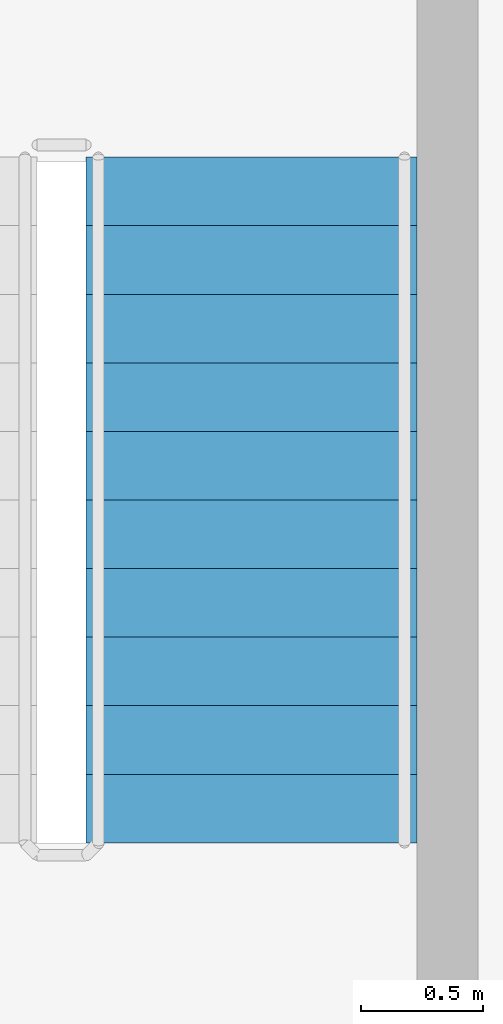
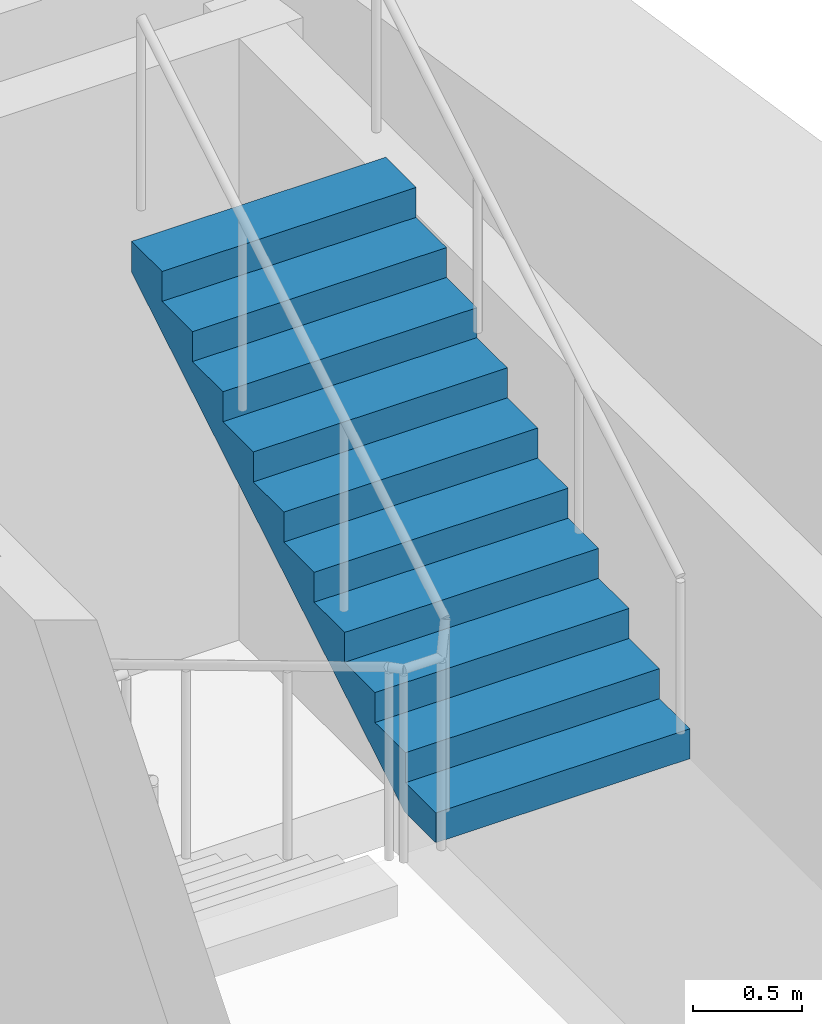
# One storey, part 8 of 13: 1 stair flight, 1 element without a shape of its own.
"""IFC4 building model written with IfcOpenShell, lengths in metres."""

from ifc_helpers import new_model, si_unit, direction, frame, origin, place, context, subcontext, project, spatial, polyline, outline, extrude, material, type_object, element, aggregate, save


model = new_model("IFC4")

# Units and contexts
model_context = context("Model", 3, precision=1e-05, world=origin(), true_north=direction((0.0, 1.0)))
body_context = subcontext(model_context, "Body", "Model", "MODEL_VIEW")
ifc_project = project(units=[si_unit("LENGTHUNIT", "METRE"), si_unit("AREAUNIT", "SQUARE_METRE"), si_unit("VOLUMEUNIT", "CUBIC_METRE"), si_unit("PLANEANGLEUNIT", "RADIAN"), si_unit("MASSUNIT", "GRAM", prefix="KILO")], contexts=[model_context])

# Site, building, storey
site_placement = place(None, origin())
site = spatial("IfcSite", under=ifc_project, at=site_placement, CompositionType="ELEMENT")
building_placement = place(site_placement, origin())
building = spatial("IfcBuilding", under=site, at=building_placement, Name="Candeia Pilgrim Tower and Theatre", CompositionType="ELEMENT")
storey_placement = place(building_placement, frame((0.0, 0.0, 128.0)))
storey = spatial("IfcBuildingStorey", under=building, at=storey_placement, Name="L30", CompositionType="ELEMENT", Elevation=128.0)

# Stair, stair flight
ifc_material = material(Name="Concrete C40/50", Category="concrete")
stair_type = type_object("IfcStairType", Name="ST-TWR dog-leg escape stair", PredefinedType="HALF_TURN_STAIR", material=ifc_material)
stair_placement = place(storey_placement, origin())
stair = element("IfcStair", 1, at=stair_placement, inside=storey, type_object=stair_type, Name="L30 Escape stair ST4", PredefinedType="HALF_TURN_STAIR")
stair_flight_type = type_object("IfcStairFlightType", Name="SFL-RC stair flight", PredefinedType="STRAIGHT", material=ifc_material)
stair_flight_placement = place(storey_placement, frame((136.322998046875, 126.925048828125, 1.85009765625), z_axis=(0.0, 0.0, 1.0), x_axis=(0.0, 1.0, 0.0)))
stair_flight = element("IfcStairFlight", 2, at=stair_flight_placement, type_object=stair_flight_type, Name="ST4 flight 2", NumberOfRisers=11, NumberOfTreads=10, PredefinedType="STRAIGHT", RiserHeight=0.168181818, TreadLength=0.28, context=body_context, shape_type="SweptSolid", body=[
    extrude(outline(polyline([(0.0, 0.0), (0.0, 0.168212890625), (0.280029296875, 0.168212890625), (0.280029296875, 0.33642578125), (0.56005859375, 0.33642578125), (0.56005859375, 0.504638671875), (0.840087890625, 0.504638671875), (0.840087890625, 0.672607421875), (1.1201171875, 0.672607421875), (1.1201171875, 0.8408203125), (1.39990234375, 0.8408203125), (1.39990234375, 1.009033203125), (1.679931640625, 1.009033203125), (1.679931640625, 1.17724609375), (1.9599609375, 1.17724609375), (1.9599609375, 1.345458984375), (2.239990234375, 1.345458984375), (2.239990234375, 1.513671875), (2.52001953125, 1.513671875), (2.52001953125, 1.681884765625), (2.800048828125, 1.681884765625), (2.800048828125, 1.85009765625), (2.800048828125, 1.5068359375), (0.291015625, 0.0), (0.0, 0.0)])), frame((0.0, 0.675048828125, 0.0), z_axis=(0.0, -1.0, 0.0), x_axis=(1.0, 0.0, 0.0)), (0.0, 0.0, 1.0), 1.35009765625),
])
aggregate(stair, [stair_flight])

save(model, "model.ifc")
